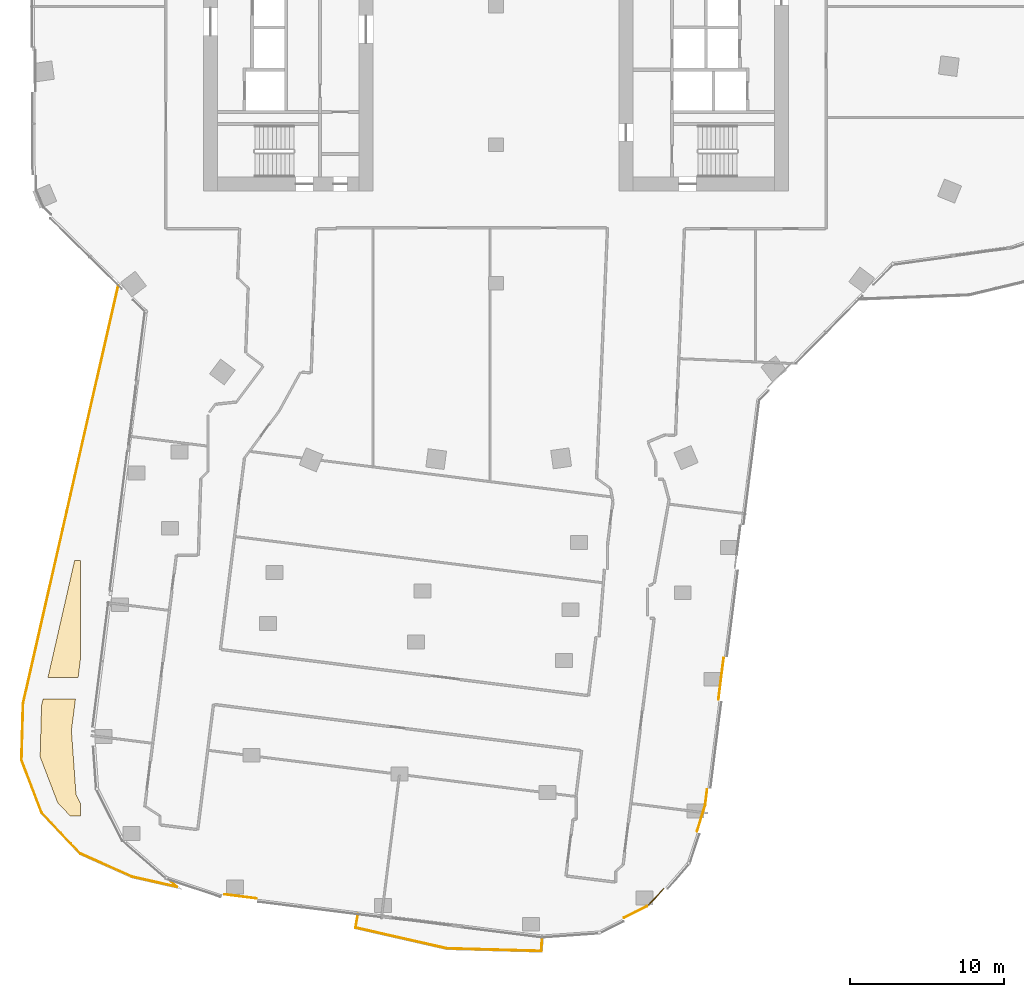
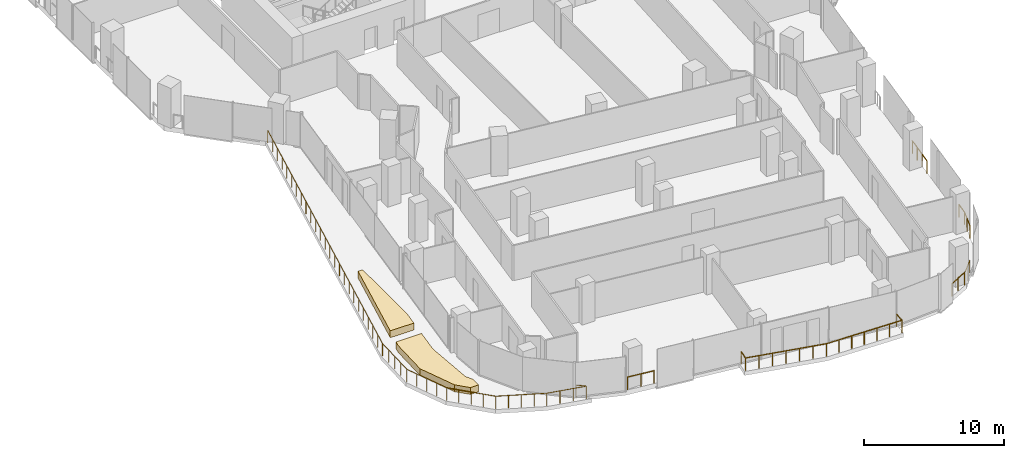
# One storey, part 25 of 29: 7 railings, 2 coverings.
"""IFC4 building model written with IfcOpenShell, lengths in metres."""

from ifc_helpers import new_model, si_unit, direction, frame, origin, origin_2d, place, context, subcontext, project, spatial, polyline, circle, outline, extrude, material, layer, layer_set, type_object, element, save


model = new_model("IFC4")

# Units and contexts
model_context = context("Model", 3, precision=1e-05, world=origin(), true_north=direction((0.0, 1.0)))
body_context = subcontext(model_context, "Body", "Model", "MODEL_VIEW")
ifc_project = project(units=[si_unit("LENGTHUNIT", "METRE"), si_unit("AREAUNIT", "SQUARE_METRE"), si_unit("VOLUMEUNIT", "CUBIC_METRE"), si_unit("PLANEANGLEUNIT", "RADIAN"), si_unit("MASSUNIT", "GRAM", prefix="KILO")], contexts=[model_context])

# Site, building, storey
site_placement = place(None, origin())
site = spatial("IfcSite", under=ifc_project, at=site_placement, CompositionType="ELEMENT")
building_placement = place(site_placement, origin())
building = spatial("IfcBuilding", under=site, at=building_placement, Name="Orlundy Tower", CompositionType="ELEMENT")
storey_placement = place(building_placement, frame((0.0, 0.0, 188.60009765625)))
storey = spatial("IfcBuildingStorey", under=building, at=storey_placement, Name="L49", CompositionType="ELEMENT", Elevation=188.60009765625)

# Coverings
ifc_material_1 = material(Name="Planted soil in precast concrete trough", Category="concrete")
ifc_layer = layer(ifc_material_1, 0.60009765625)
ifc_layer_set = layer_set([ifc_layer], Name="PLANTER box")
covering_type = type_object("IfcCoveringType", Name="PLANTER box", PredefinedType="USERDEFINED", material=ifc_layer_set)
covering_1_placement = place(storey_placement, origin())
element("IfcCovering", 1, at=covering_1_placement, inside=storey, type_object=covering_type, Name="PLANTER L49-20", ObjectType="PLANTER", PredefinedType="USERDEFINED", context=body_context, shape_type="SweptSolid", body=[
    extrude(outline(polyline([(-29.6240234375, -48.76611328125), (-29.531982421875, -45.447998046875), (-29.429931640625, -45.0), (-27.327880859375, -45.0), (-27.589111328125, -47.072998046875), (-27.29296875, -51.217041015625), (-27.0, -51.802001953125), (-27.0, -52.60009765625), (-27.676025390625, -52.60009765625), (-28.485107421875, -51.7451171875), (-29.6240234375, -48.76611328125)])), origin(), (0.0, 0.0, 1.0), 0.599853515625),
])
covering_2_placement = place(storey_placement, origin())
element("IfcCovering", 2, at=covering_2_placement, inside=storey, type_object=covering_type, Name="PLANTER L49-21", ObjectType="PLANTER", PredefinedType="USERDEFINED", context=body_context, shape_type="SweptSolid", body=[
    extrude(outline(polyline([(-27.3798828125, -36.0), (-27.0, -36.0), (-27.0, -42.387939453125), (-27.152099609375, -43.60009765625), (-29.111083984375, -43.60009765625), (-27.3798828125, -36.0)])), origin(), (0.0, 0.0, 1.0), 0.599853515625),
])

# Railings
ifc_material_2 = material(Name="Stainless steel bronze finish", Category="steel")
railing_type = type_object("IfcRailingType", Name="TG1 terrace guard", PredefinedType="GUARDRAIL", material=ifc_material_2)
railing_1_placement = place(storey_placement, frame((9.810302734375, -58.4755859375, 0.0)))
element("IfcRailing", 3, at=railing_1_placement, inside=storey, type_object=railing_type, Name="Guard TG-L49-E00", PredefinedType="GUARDRAIL", context=body_context, shape_type="SweptSolid", body=[
    extrude(circle(Radius=0.02490234375, at=origin_2d()), frame((0.0, 0.0, 1.09521484375), z_axis=(0.689196116174, 0.724574850137, 0.0), x_axis=(-0.724574850137, 0.689196116174, 0.0)), (0.0, 0.0, 1.0), 1.593994140625),
    extrude(circle(Radius=0.02490234375, at=origin_2d()), frame((1.0986328125, 1.155029296875, 1.09521484375), z_axis=(-0.655018776214, -0.755612601011, 0.0), x_axis=(0.755612601011, -0.655018776214, 0.0)), (0.0, 0.0, 1.0), 1.05322265625),
    extrude(circle(Radius=0.02490234375, at=origin_2d()), frame((0.40869140625, 0.359130859375, 1.09521484375), z_axis=(-0.751263379603, -0.660002526107, 0.0), x_axis=(0.660002526107, -0.751263379603, 0.0)), (0.0, 0.0, 1.0), 0.484130859375),
    extrude(circle(Radius=0.02001953125, at=origin_2d()), origin(), (0.0, 0.0, 1.0), 1.070068359375),
    extrude(circle(Radius=0.02001953125, at=origin_2d()), frame((0.54931640625, 0.57763671875, 0.0)), (0.0, 0.0, 1.0), 1.070068359375),
    extrude(circle(Radius=0.02001953125, at=origin_2d()), frame((1.0986328125, 1.155029296875, 0.0)), (0.0, 0.0, 1.0), 1.070068359375),
    extrude(circle(Radius=0.02001953125, at=origin_2d()), frame((0.40869140625, 0.359130859375, 0.0)), (0.0, 0.0, 1.0), 1.070068359375),
    extrude(circle(Radius=0.02001953125, at=origin_2d()), frame((0.044921875, 0.03955078125, 0.0)), (0.0, 0.0, 1.0), 1.070068359375),
])
railing_2_placement = place(storey_placement, frame((13.716796875, -50.9033203125, 0.0)))
element("IfcRailing", 4, at=railing_2_placement, inside=storey, type_object=railing_type, Name="Guard TG-L49-E02", PredefinedType="GUARDRAIL", context=body_context, shape_type="SweptSolid", body=[
    extrude(circle(Radius=0.02490234375, at=origin_2d()), frame((0.0, 0.0, 1.09521484375), z_axis=(-0.124841812127, -0.992176658637, 0.0), x_axis=(0.992176658637, -0.124841812127, 0.0)), (0.0, 0.0, 1.0), 1.005126953125),
    extrude(circle(Radius=0.02490234375, at=origin_2d()), frame((-0.12548828125, -0.997314453125, 1.09521484375), z_axis=(-0.295501978591, -0.955342127538, 0.0), x_axis=(0.955342127538, -0.295501978591, 0.0)), (0.0, 0.0, 1.0), 1.780517578125),
    extrude(circle(Radius=0.02001953125, at=origin_2d()), origin(), (0.0, 0.0, 1.0), 1.070068359375),
    extrude(circle(Radius=0.02001953125, at=origin_2d()), frame((-0.12548828125, -0.997314453125, 0.0)), (0.0, 0.0, 1.0), 1.070068359375),
    extrude(circle(Radius=0.02001953125, at=origin_2d()), frame((-0.388671875, -1.84765625, 0.0)), (0.0, 0.0, 1.0), 1.070068359375),
    extrude(circle(Radius=0.02001953125, at=origin_2d()), frame((-0.651611328125, -2.6982421875, 0.0)), (0.0, 0.0, 1.0), 1.070068359375),
])
railing_3_placement = place(storey_placement, frame((14.791259765625, -42.35546875, 0.0)))
element("IfcRailing", 5, at=railing_3_placement, inside=storey, type_object=railing_type, Name="Guard TG-L49-E07", PredefinedType="GUARDRAIL", context=body_context, shape_type="SweptSolid", body=[
    extrude(circle(Radius=0.02490234375, at=origin_2d()), frame((0.0, 0.0, 1.09521484375), z_axis=(-0.124698622736, -0.992194665118, 0.0), x_axis=(0.992194665118, -0.124698622736, 0.0)), (0.0, 0.0, 1.0), 2.715576171875),
    extrude(circle(Radius=0.02001953125, at=origin_2d()), origin(), (0.0, 0.0, 1.0), 1.070068359375),
    extrude(circle(Radius=0.02001953125, at=origin_2d()), frame((-0.11279296875, -0.898193359375, 0.0)), (0.0, 0.0, 1.0), 1.070068359375),
    extrude(circle(Radius=0.02001953125, at=origin_2d()), frame((-0.225830078125, -1.796142578125, 0.0)), (0.0, 0.0, 1.0), 1.070068359375),
    extrude(circle(Radius=0.02001953125, at=origin_2d()), frame((-0.338623046875, -2.6943359375, 0.0)), (0.0, 0.0, 1.0), 1.070068359375),
])
railing_4_placement = place(storey_placement, frame((-15.577392578125, -57.96923828125, 0.0)))
element("IfcRailing", 6, at=railing_4_placement, inside=storey, type_object=railing_type, Name="Guard TG-L49-E017", PredefinedType="GUARDRAIL", context=body_context, shape_type="SweptSolid", body=[
    extrude(circle(Radius=0.02490234375, at=origin_2d()), frame((0.0, 0.0, 1.09521484375), z_axis=(-0.992188992282, 0.124743751725, 0.0), x_axis=(-0.124743751725, -0.992188992282, 0.0)), (0.0, 0.0, 1.0), 2.076416015625),
    extrude(circle(Radius=0.02001953125, at=origin_2d()), origin(), (0.0, 0.0, 1.0), 1.070068359375),
    extrude(circle(Radius=0.02001953125, at=origin_2d()), frame((-1.0302734375, 0.12939453125, 0.0)), (0.0, 0.0, 1.0), 1.070068359375),
    extrude(circle(Radius=0.02001953125, at=origin_2d()), frame((-2.060302734375, 0.259033203125, 0.0)), (0.0, 0.0, 1.0), 1.070068359375),
])
railing_5_placement = place(storey_placement, frame((9.810302734375, -58.4755859375, 0.0)))
element("IfcRailing", 7, at=railing_5_placement, inside=storey, type_object=railing_type, Name="Guard TG-L49-E019", PredefinedType="GUARDRAIL", context=body_context, shape_type="SweptSolid", body=[
    extrude(circle(Radius=0.02490234375, at=origin_2d()), frame((0.0, 0.0, 1.09521484375), z_axis=(-0.894251376496, -0.447565051846, 0.0), x_axis=(0.447565051846, -0.894251376496, 0.0)), (0.0, 0.0, 1.0), 1.6669921875),
    extrude(circle(Radius=0.02001953125, at=origin_2d()), origin(), (0.0, 0.0, 1.0), 1.070068359375),
    extrude(circle(Radius=0.02001953125, at=origin_2d()), frame((-0.745361328125, -0.373046875, 0.0)), (0.0, 0.0, 1.0), 1.070068359375),
    extrude(circle(Radius=0.02001953125, at=origin_2d()), frame((-1.49072265625, -0.74609375, 0.0)), (0.0, 0.0, 1.0), 1.070068359375),
])
railing_6_placement = place(storey_placement, frame((3.00439453125, -60.5048828125, 0.0)))
element("IfcRailing", 8, at=railing_6_placement, inside=storey, type_object=railing_type, Name="Guard TG-L49-10", PredefinedType="GUARDRAIL", context=body_context, shape_type="SweptSolid", body=[
    extrude(circle(Radius=0.02490234375, at=origin_2d()), frame((0.0, 0.0, 1.09521484375), z_axis=(-0.076001580892, -0.997107697143, 0.0), x_axis=(0.997107697143, -0.076001580892, 0.0)), (0.0, 0.0, 1.0), 0.88671875),
    extrude(circle(Radius=0.02490234375, at=origin_2d()), frame((-0.0673828125, -0.884033203125, 1.09521484375), z_axis=(-0.999623948966, 0.027421900992, 0.0), x_axis=(-0.027421900992, -0.999623948966, 0.0)), (0.0, 0.0, 1.0), 6.125244140625),
    extrude(circle(Radius=0.02490234375, at=origin_2d()), frame((-6.1904296875, -0.716064453125, 1.09521484375), z_axis=(-0.975067473057, 0.221908591509, 0.0), x_axis=(-0.221908591509, -0.975067473057, 0.0)), (0.0, 0.0, 1.0), 6.0927734375),
    extrude(circle(Radius=0.02490234375, at=origin_2d()), frame((-12.13134765625, 0.635986328125, 1.09521484375), z_axis=(0.173247658898, 0.984878291306, 0.0), x_axis=(-0.984878291306, 0.173247658898, 0.0)), (0.0, 0.0, 1.0), 0.880859375),
    extrude(circle(Radius=0.02001953125, at=origin_2d()), origin(), (0.0, 0.0, 1.0), 1.070068359375),
    extrude(circle(Radius=0.02001953125, at=origin_2d()), frame((-0.0673828125, -0.884033203125, 0.0)), (0.0, 0.0, 1.0), 1.070068359375),
    extrude(circle(Radius=0.02001953125, at=origin_2d()), frame((-1.087890625, -0.85595703125, 0.0)), (0.0, 0.0, 1.0), 1.070068359375),
    extrude(circle(Radius=0.02001953125, at=origin_2d()), frame((-2.1083984375, -0.828125, 0.0)), (0.0, 0.0, 1.0), 1.070068359375),
    extrude(circle(Radius=0.02001953125, at=origin_2d()), frame((-3.12890625, -0.800048828125, 0.0)), (0.0, 0.0, 1.0), 1.070068359375),
    extrude(circle(Radius=0.02001953125, at=origin_2d()), frame((-4.1494140625, -0.77197265625, 0.0)), (0.0, 0.0, 1.0), 1.070068359375),
    extrude(circle(Radius=0.02001953125, at=origin_2d()), frame((-5.169921875, -0.744140625, 0.0)), (0.0, 0.0, 1.0), 1.070068359375),
    extrude(circle(Radius=0.02001953125, at=origin_2d()), frame((-6.1904296875, -0.716064453125, 0.0)), (0.0, 0.0, 1.0), 1.070068359375),
    extrude(circle(Radius=0.02001953125, at=origin_2d()), frame((-7.1806640625, -0.49072265625, 0.0)), (0.0, 0.0, 1.0), 1.070068359375),
    extrude(circle(Radius=0.02001953125, at=origin_2d()), frame((-8.170654296875, -0.265380859375, 0.0)), (0.0, 0.0, 1.0), 1.070068359375),
    extrude(circle(Radius=0.02001953125, at=origin_2d()), frame((-9.160888671875, -0.0400390625, 0.0)), (0.0, 0.0, 1.0), 1.070068359375),
    extrude(circle(Radius=0.02001953125, at=origin_2d()), frame((-10.151123046875, 0.185302734375, 0.0)), (0.0, 0.0, 1.0), 1.070068359375),
    extrude(circle(Radius=0.02001953125, at=origin_2d()), frame((-11.14111328125, 0.41064453125, 0.0)), (0.0, 0.0, 1.0), 1.070068359375),
    extrude(circle(Radius=0.02001953125, at=origin_2d()), frame((-12.13134765625, 0.635986328125, 0.0)), (0.0, 0.0, 1.0), 1.070068359375),
    extrude(circle(Radius=0.02001953125, at=origin_2d()), frame((-11.978759765625, 1.50341796875, 0.0)), (0.0, 0.0, 1.0), 1.070068359375),
])
railing_7_placement = place(storey_placement, frame((-21.287353515625, -56.74658203125, 0.0)))
element("IfcRailing", 9, at=railing_7_placement, inside=storey, type_object=railing_type, Name="Guard TG-L49-20", PredefinedType="GUARDRAIL", context=body_context, shape_type="SweptSolid", body=[
    extrude(circle(Radius=0.02490234375, at=origin_2d()), frame((0.0, 0.0, 1.09521484375), z_axis=(0.755968645388, -0.654607827016, 0.0), x_axis=(0.654607827016, 0.755968645388, 0.0)), (0.0, 0.0, 1.0), 0.72021484375),
    extrude(circle(Radius=0.02490234375, at=origin_2d()), frame((0.54443359375, -0.471435546875, 1.09521484375), z_axis=(-0.975358989315, 0.220623756569, 0.0), x_axis=(-0.220623756569, -0.975358989315, 0.0)), (0.0, 0.0, 1.0), 2.973388671875),
    extrude(circle(Radius=0.02490234375, at=origin_2d()), frame((-2.355712890625, 0.1845703125, 1.09521484375), z_axis=(-0.912944526869, 0.408083681198, 0.0), x_axis=(-0.408083681198, -0.912944526869, 0.0)), (0.0, 0.0, 1.0), 3.67822265625),
    extrude(circle(Radius=0.02490234375, at=origin_2d()), frame((-5.713623046875, 1.685546875, 1.09521484375), z_axis=(-0.687194156168, 0.726473806637, 0.0), x_axis=(-0.726473806637, -0.687194156168, 0.0)), (0.0, 0.0, 1.0), 3.667236328125),
    extrude(circle(Radius=0.02490234375, at=origin_2d()), frame((-8.233642578125, 4.349609375, 1.09521484375), z_axis=(-0.357019573319, 0.934096903039, 0.0), x_axis=(-0.934096903039, -0.357019573319, 0.0)), (0.0, 0.0, 1.0), 3.666748046875),
    extrude(circle(Radius=0.02490234375, at=origin_2d()), frame((-9.542724609375, 7.774658203125, 1.09521484375), z_axis=(0.027759693957, 0.999614625439, 0.0), x_axis=(-0.999614625439, 0.027759693957, 0.0)), (0.0, 0.0, 1.0), 3.67626953125),
    extrude(circle(Radius=0.02490234375, at=origin_2d()), frame((-9.440673828125, 11.449462890625, 1.09521484375), z_axis=(0.222095534203, 0.975024909265, 0.0), x_axis=(-0.975024909265, 0.222095534203, 0.0)), (0.0, 0.0, 1.0), 27.845458984375),
    extrude(circle(Radius=0.02001953125, at=origin_2d()), origin(), (0.0, 0.0, 1.0), 1.070068359375),
    extrude(circle(Radius=0.02001953125, at=origin_2d()), frame((0.54443359375, -0.471435546875, 0.0)), (0.0, 0.0, 1.0), 1.070068359375),
    extrude(circle(Radius=0.02001953125, at=origin_2d()), frame((-0.42236328125, -0.252685546875, 0.0)), (0.0, 0.0, 1.0), 1.070068359375),
    extrude(circle(Radius=0.02001953125, at=origin_2d()), frame((-1.388916015625, -0.0341796875, 0.0)), (0.0, 0.0, 1.0), 1.070068359375),
    extrude(circle(Radius=0.02001953125, at=origin_2d()), frame((-2.355712890625, 0.1845703125, 0.0)), (0.0, 0.0, 1.0), 1.070068359375),
    extrude(circle(Radius=0.02001953125, at=origin_2d()), frame((-3.1953125, 0.559814453125, 0.0)), (0.0, 0.0, 1.0), 1.070068359375),
    extrude(circle(Radius=0.02001953125, at=origin_2d()), frame((-4.03466796875, 0.93505859375, 0.0)), (0.0, 0.0, 1.0), 1.070068359375),
    extrude(circle(Radius=0.02001953125, at=origin_2d()), frame((-4.8740234375, 1.310302734375, 0.0)), (0.0, 0.0, 1.0), 1.070068359375),
    extrude(circle(Radius=0.02001953125, at=origin_2d()), frame((-5.713623046875, 1.685546875, 0.0)), (0.0, 0.0, 1.0), 1.070068359375),
    extrude(circle(Radius=0.02001953125, at=origin_2d()), frame((-6.34375, 2.3515625, 0.0)), (0.0, 0.0, 1.0), 1.070068359375),
    extrude(circle(Radius=0.02001953125, at=origin_2d()), frame((-6.9736328125, 3.017578125, 0.0)), (0.0, 0.0, 1.0), 1.070068359375),
    extrude(circle(Radius=0.02001953125, at=origin_2d()), frame((-7.603515625, 3.68359375, 0.0)), (0.0, 0.0, 1.0), 1.070068359375),
    extrude(circle(Radius=0.02001953125, at=origin_2d()), frame((-8.233642578125, 4.349609375, 0.0)), (0.0, 0.0, 1.0), 1.070068359375),
    extrude(circle(Radius=0.02001953125, at=origin_2d()), frame((-8.56103515625, 5.205810546875, 0.0)), (0.0, 0.0, 1.0), 1.070068359375),
    extrude(circle(Radius=0.02001953125, at=origin_2d()), frame((-8.88818359375, 6.06201171875, 0.0)), (0.0, 0.0, 1.0), 1.070068359375),
    extrude(circle(Radius=0.02001953125, at=origin_2d()), frame((-9.21533203125, 6.91845703125, 0.0)), (0.0, 0.0, 1.0), 1.070068359375),
    extrude(circle(Radius=0.02001953125, at=origin_2d()), frame((-9.542724609375, 7.774658203125, 0.0)), (0.0, 0.0, 1.0), 1.070068359375),
    extrude(circle(Radius=0.02001953125, at=origin_2d()), frame((-9.51708984375, 8.693359375, 0.0)), (0.0, 0.0, 1.0), 1.070068359375),
    extrude(circle(Radius=0.02001953125, at=origin_2d()), frame((-9.49169921875, 9.612060546875, 0.0)), (0.0, 0.0, 1.0), 1.070068359375),
    extrude(circle(Radius=0.02001953125, at=origin_2d()), frame((-9.46630859375, 10.53076171875, 0.0)), (0.0, 0.0, 1.0), 1.070068359375),
    extrude(circle(Radius=0.02001953125, at=origin_2d()), frame((-9.440673828125, 11.449462890625, 0.0)), (0.0, 0.0, 1.0), 1.070068359375),
    extrude(circle(Radius=0.02001953125, at=origin_2d()), frame((-9.18310546875, 12.580810546875, 0.0)), (0.0, 0.0, 1.0), 1.070068359375),
    extrude(circle(Radius=0.02001953125, at=origin_2d()), frame((-8.92529296875, 13.7119140625, 0.0)), (0.0, 0.0, 1.0), 1.070068359375),
    extrude(circle(Radius=0.02001953125, at=origin_2d()), frame((-8.667724609375, 14.84326171875, 0.0)), (0.0, 0.0, 1.0), 1.070068359375),
    extrude(circle(Radius=0.02001953125, at=origin_2d()), frame((-8.409912109375, 15.974365234375, 0.0)), (0.0, 0.0, 1.0), 1.070068359375),
    extrude(circle(Radius=0.02001953125, at=origin_2d()), frame((-8.15234375, 17.105712890625, 0.0)), (0.0, 0.0, 1.0), 1.070068359375),
    extrude(circle(Radius=0.02001953125, at=origin_2d()), frame((-7.89453125, 18.23681640625, 0.0)), (0.0, 0.0, 1.0), 1.070068359375),
    extrude(circle(Radius=0.02001953125, at=origin_2d()), frame((-7.636962890625, 19.3681640625, 0.0)), (0.0, 0.0, 1.0), 1.070068359375),
    extrude(circle(Radius=0.02001953125, at=origin_2d()), frame((-7.379150390625, 20.49951171875, 0.0)), (0.0, 0.0, 1.0), 1.070068359375),
    extrude(circle(Radius=0.02001953125, at=origin_2d()), frame((-7.12158203125, 21.630615234375, 0.0)), (0.0, 0.0, 1.0), 1.070068359375),
    extrude(circle(Radius=0.02001953125, at=origin_2d()), frame((-6.86376953125, 22.761962890625, 0.0)), (0.0, 0.0, 1.0), 1.070068359375),
    extrude(circle(Radius=0.02001953125, at=origin_2d()), frame((-6.606201171875, 23.89306640625, 0.0)), (0.0, 0.0, 1.0), 1.070068359375),
    extrude(circle(Radius=0.02001953125, at=origin_2d()), frame((-6.3486328125, 25.0244140625, 0.0)), (0.0, 0.0, 1.0), 1.070068359375),
    extrude(circle(Radius=0.02001953125, at=origin_2d()), frame((-6.0908203125, 26.15576171875, 0.0)), (0.0, 0.0, 1.0), 1.070068359375),
    extrude(circle(Radius=0.02001953125, at=origin_2d()), frame((-5.833251953125, 27.286865234375, 0.0)), (0.0, 0.0, 1.0), 1.070068359375),
    extrude(circle(Radius=0.02001953125, at=origin_2d()), frame((-5.575439453125, 28.418212890625, 0.0)), (0.0, 0.0, 1.0), 1.070068359375),
    extrude(circle(Radius=0.02001953125, at=origin_2d()), frame((-5.31787109375, 29.54931640625, 0.0)), (0.0, 0.0, 1.0), 1.070068359375),
    extrude(circle(Radius=0.02001953125, at=origin_2d()), frame((-5.06005859375, 30.6806640625, 0.0)), (0.0, 0.0, 1.0), 1.070068359375),
    extrude(circle(Radius=0.02001953125, at=origin_2d()), frame((-4.802490234375, 31.81201171875, 0.0)), (0.0, 0.0, 1.0), 1.070068359375),
    extrude(circle(Radius=0.02001953125, at=origin_2d()), frame((-4.544677734375, 32.943115234375, 0.0)), (0.0, 0.0, 1.0), 1.070068359375),
    extrude(circle(Radius=0.02001953125, at=origin_2d()), frame((-4.287109375, 34.074462890625, 0.0)), (0.0, 0.0, 1.0), 1.070068359375),
    extrude(circle(Radius=0.02001953125, at=origin_2d()), frame((-4.029296875, 35.20556640625, 0.0)), (0.0, 0.0, 1.0), 1.070068359375),
    extrude(circle(Radius=0.02001953125, at=origin_2d()), frame((-3.771728515625, 36.3369140625, 0.0)), (0.0, 0.0, 1.0), 1.070068359375),
    extrude(circle(Radius=0.02001953125, at=origin_2d()), frame((-3.513916015625, 37.468017578125, 0.0)), (0.0, 0.0, 1.0), 1.070068359375),
    extrude(circle(Radius=0.02001953125, at=origin_2d()), frame((-3.25634765625, 38.599365234375, 0.0)), (0.0, 0.0, 1.0), 1.070068359375),
])

save(model, "model.ifc")
